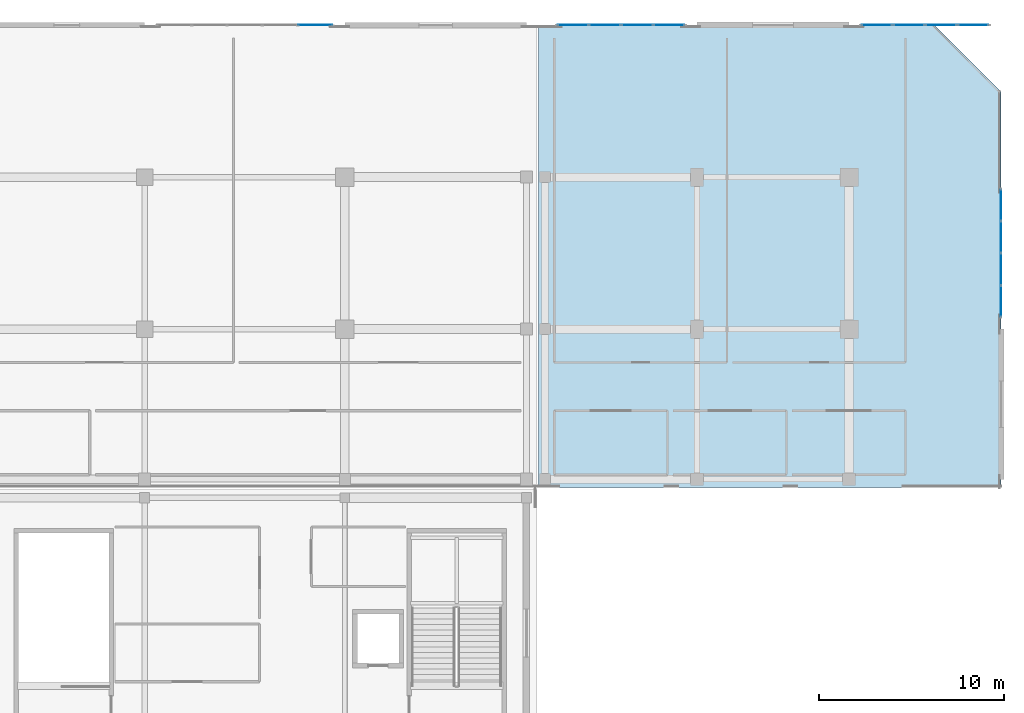
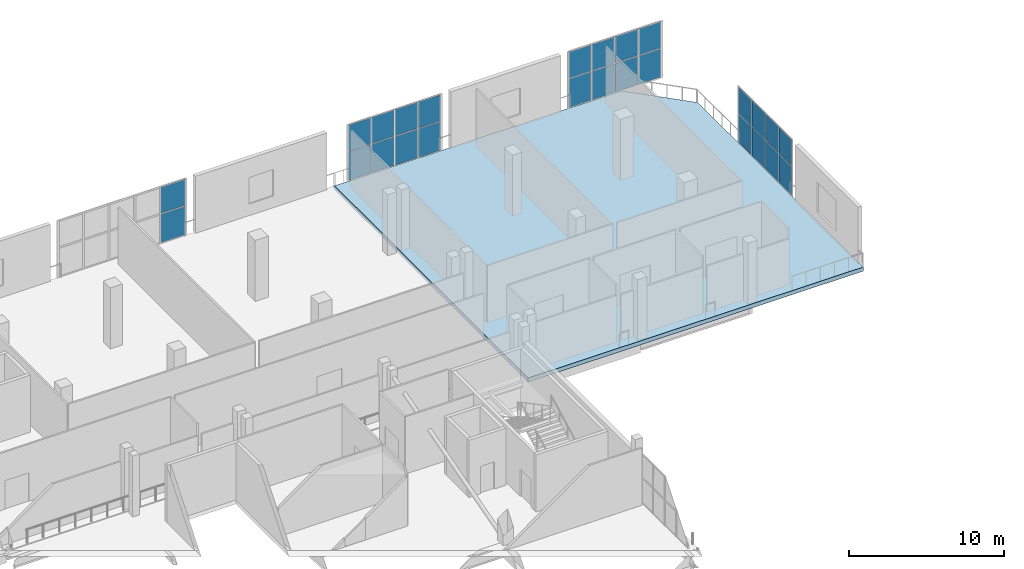
# One storey, part 68 of 129: 26 plates, 1 slab, 4 elements without a shape of their own.
"""IFC4 building model written with IfcOpenShell, lengths in metres."""

from ifc_helpers import new_model, si_unit, direction, frame, origin, origin_2d, place, context, subcontext, project, spatial, polyline, rectangle, outline, extrude, material, layer, layer_set, type_object, element, aggregate, save


model = new_model("IFC4")

# Units and contexts
model_context = context("Model", 3, precision=1e-05, world=origin(), true_north=direction((0.0, 1.0)))
body_context = subcontext(model_context, "Body", "Model", "MODEL_VIEW")
ifc_project = project(units=[si_unit("LENGTHUNIT", "METRE"), si_unit("AREAUNIT", "SQUARE_METRE"), si_unit("VOLUMEUNIT", "CUBIC_METRE"), si_unit("PLANEANGLEUNIT", "RADIAN"), si_unit("MASSUNIT", "GRAM", prefix="KILO")], contexts=[model_context])

# Site, building, storey
site_placement = place(None, origin())
site = spatial("IfcSite", under=ifc_project, at=site_placement, CompositionType="ELEMENT")
building_placement = place(site_placement, origin())
building = spatial("IfcBuilding", under=site, at=building_placement, Name="Koshinbarg Plaza Stadium", CompositionType="ELEMENT")
storey_placement = place(building_placement, frame((0.0, 0.0, 5.39990234375)))
storey = spatial("IfcBuildingStorey", under=building, at=storey_placement, Name="L01", CompositionType="ELEMENT", Elevation=5.39990234375)

# Curtain wall, plates
ifc_material_1 = material(Name="Thermally broken anodised aluminium and low-E double glazing", Category="aluminium")
curtain_wall_type_1 = type_object("IfcCurtainWallType", Name="CW-SYS-03", PredefinedType="NOTDEFINED", material=ifc_material_1)
curtain_wall_1_placement = place(storey_placement, origin())
curtain_wall_1 = element("IfcCurtainWall", 1, at=curtain_wall_1_placement, inside=storey, type_object=curtain_wall_type_1, Name="L01 unitised curtain wall CW-L01-018", PredefinedType="NOTDEFINED")
ifc_material_2 = material(Name="Solar-control low-E double glazing unit", Category="glass")
ifc_layer_1 = layer(ifc_material_2, 0.028076171875)
ifc_layer_set_1 = layer_set([ifc_layer_1], Name="Solar-control low-E double glazing unit")
plate_type_1 = type_object("IfcPlateType", Name="CW-PNL-28", PredefinedType="CURTAIN_PANEL", material=ifc_layer_set_1)
plate_1_placement = place(storey_placement, frame((220.905029296875, 152.0, 0.06005859375), z_axis=(0.0, 0.0, 1.0), x_axis=(1.0, 0.0, 0.0)))
plate_1 = element("IfcPlate", 2, at=plate_1_placement, type_object=plate_type_1, Name="CW03 panel 1.1", PredefinedType="CURTAIN_PANEL", context=body_context, shape_type="SweptSolid", body=[
    extrude(rectangle(XDim=1.64990234375, YDim=0.028076171875, at=origin_2d()), origin(), (0.0, 0.0, 1.0), 2.239501953125),
])
plate_2_placement = place(storey_placement, frame((220.905029296875, 152.0, 2.35986328125), z_axis=(0.0, 0.0, 1.0), x_axis=(1.0, 0.0, 0.0)))
plate_2 = element("IfcPlate", 3, at=plate_2_placement, type_object=plate_type_1, Name="CW03 panel 1.2", PredefinedType="CURTAIN_PANEL", context=body_context, shape_type="SweptSolid", body=[
    extrude(rectangle(XDim=1.64990234375, YDim=0.028076171875, at=origin_2d()), origin(), (0.0, 0.0, 1.0), 2.060302734375),
])
plate_3_placement = place(storey_placement, frame((222.6298828125, 152.0, 0.06005859375), z_axis=(0.0, 0.0, 1.0), x_axis=(1.0, 0.0, 0.0)))
plate_3 = element("IfcPlate", 4, at=plate_3_placement, type_object=plate_type_1, Name="CW03 panel 2.1", PredefinedType="CURTAIN_PANEL", context=body_context, shape_type="SweptSolid", body=[
    extrude(rectangle(XDim=1.679931640625, YDim=0.028076171875, at=origin_2d()), origin(), (0.0, 0.0, 1.0), 2.239501953125),
])
plate_4_placement = place(storey_placement, frame((222.6298828125, 152.0, 2.35986328125), z_axis=(0.0, 0.0, 1.0), x_axis=(1.0, 0.0, 0.0)))
plate_4 = element("IfcPlate", 5, at=plate_4_placement, type_object=plate_type_1, Name="CW03 panel 2.2", PredefinedType="CURTAIN_PANEL", context=body_context, shape_type="SweptSolid", body=[
    extrude(rectangle(XDim=1.679931640625, YDim=0.028076171875, at=origin_2d()), origin(), (0.0, 0.0, 1.0), 2.060302734375),
])
plate_5_placement = place(storey_placement, frame((224.3701171875, 152.0, 0.06005859375), z_axis=(0.0, 0.0, 1.0), x_axis=(1.0, 0.0, 0.0)))
plate_5 = element("IfcPlate", 6, at=plate_5_placement, type_object=plate_type_1, Name="CW03 panel 3.1", PredefinedType="CURTAIN_PANEL", context=body_context, shape_type="SweptSolid", body=[
    extrude(rectangle(XDim=1.679931640625, YDim=0.028076171875, at=origin_2d()), origin(), (0.0, 0.0, 1.0), 2.239501953125),
])
plate_6_placement = place(storey_placement, frame((224.3701171875, 152.0, 2.35986328125), z_axis=(0.0, 0.0, 1.0), x_axis=(1.0, 0.0, 0.0)))
plate_6 = element("IfcPlate", 7, at=plate_6_placement, type_object=plate_type_1, Name="CW03 panel 3.2", PredefinedType="CURTAIN_PANEL", context=body_context, shape_type="SweptSolid", body=[
    extrude(rectangle(XDim=1.679931640625, YDim=0.028076171875, at=origin_2d()), origin(), (0.0, 0.0, 1.0), 2.060302734375),
])
plate_7_placement = place(storey_placement, frame((226.094970703125, 152.0, 0.06005859375), z_axis=(0.0, 0.0, 1.0), x_axis=(1.0, 0.0, 0.0)))
plate_7 = element("IfcPlate", 8, at=plate_7_placement, type_object=plate_type_1, Name="CW03 panel 4.1", PredefinedType="CURTAIN_PANEL", context=body_context, shape_type="SweptSolid", body=[
    extrude(rectangle(XDim=1.64990234375, YDim=0.028076171875, at=origin_2d()), origin(), (0.0, 0.0, 1.0), 2.239501953125),
])
plate_8_placement = place(storey_placement, frame((226.094970703125, 152.0, 2.35986328125), z_axis=(0.0, 0.0, 1.0), x_axis=(1.0, 0.0, 0.0)))
plate_8 = element("IfcPlate", 9, at=plate_8_placement, type_object=plate_type_1, Name="CW03 panel 4.2", PredefinedType="CURTAIN_PANEL", context=body_context, shape_type="SweptSolid", body=[
    extrude(rectangle(XDim=1.64990234375, YDim=0.028076171875, at=origin_2d()), origin(), (0.0, 0.0, 1.0), 2.060302734375),
])
aggregate(curtain_wall_1, [plate_1, plate_2, plate_3, plate_4, plate_5, plate_6, plate_7, plate_8])

curtain_wall_type_2 = type_object("IfcCurtainWallType", Name="CW-SYS-09", PredefinedType="NOTDEFINED", material=ifc_material_1)
curtain_wall_2_placement = place(storey_placement, origin())
curtain_wall_2 = element("IfcCurtainWall", 10, at=curtain_wall_2_placement, inside=storey, type_object=curtain_wall_type_2, Name="L01 unitised curtain wall CW-L01-024", PredefinedType="NOTDEFINED")
plate_9_placement = place(storey_placement, frame((244.0, 142.294921875, 0.06005859375), z_axis=(0.0, 0.0, 1.0), x_axis=(0.0, -1.0, 0.0)))
plate_9 = element("IfcPlate", 11, at=plate_9_placement, type_object=plate_type_1, Name="CW09 panel 1.1", PredefinedType="CURTAIN_PANEL", context=body_context, shape_type="SweptSolid", body=[
    extrude(rectangle(XDim=1.64990234375, YDim=0.028076171875, at=origin_2d()), origin(), (0.0, 0.0, 1.0), 2.239501953125),
])
plate_10_placement = place(storey_placement, frame((244.0, 142.294921875, 2.35986328125), z_axis=(0.0, 0.0, 1.0), x_axis=(0.0, -1.0, 0.0)))
plate_10 = element("IfcPlate", 12, at=plate_10_placement, type_object=plate_type_1, Name="CW09 panel 1.2", PredefinedType="CURTAIN_PANEL", context=body_context, shape_type="SweptSolid", body=[
    extrude(rectangle(XDim=1.64990234375, YDim=0.028076171875, at=origin_2d()), origin(), (0.0, 0.0, 1.0), 2.060302734375),
])
plate_11_placement = place(storey_placement, frame((244.0, 140.570068359375, 0.06005859375), z_axis=(0.0, 0.0, 1.0), x_axis=(0.0, -1.0, 0.0)))
plate_11 = element("IfcPlate", 13, at=plate_11_placement, type_object=plate_type_1, Name="CW09 panel 2.1", PredefinedType="CURTAIN_PANEL", context=body_context, shape_type="SweptSolid", body=[
    extrude(rectangle(XDim=1.679931640625, YDim=0.028076171875, at=origin_2d()), origin(), (0.0, 0.0, 1.0), 2.239501953125),
])
plate_12_placement = place(storey_placement, frame((244.0, 140.570068359375, 2.35986328125), z_axis=(0.0, 0.0, 1.0), x_axis=(0.0, -1.0, 0.0)))
plate_12 = element("IfcPlate", 14, at=plate_12_placement, type_object=plate_type_1, Name="CW09 panel 2.2", PredefinedType="CURTAIN_PANEL", context=body_context, shape_type="SweptSolid", body=[
    extrude(rectangle(XDim=1.679931640625, YDim=0.028076171875, at=origin_2d()), origin(), (0.0, 0.0, 1.0), 2.060302734375),
])
plate_13_placement = place(storey_placement, frame((244.0, 138.830078125, 0.06005859375), z_axis=(0.0, 0.0, 1.0), x_axis=(0.0, -1.0, 0.0)))
plate_13 = element("IfcPlate", 15, at=plate_13_placement, type_object=plate_type_1, Name="CW09 panel 3.1", PredefinedType="CURTAIN_PANEL", context=body_context, shape_type="SweptSolid", body=[
    extrude(rectangle(XDim=1.679931640625, YDim=0.028076171875, at=origin_2d()), origin(), (0.0, 0.0, 1.0), 2.239501953125),
])
plate_14_placement = place(storey_placement, frame((244.0, 138.830078125, 2.35986328125), z_axis=(0.0, 0.0, 1.0), x_axis=(0.0, -1.0, 0.0)))
plate_14 = element("IfcPlate", 16, at=plate_14_placement, type_object=plate_type_1, Name="CW09 panel 3.2", PredefinedType="CURTAIN_PANEL", context=body_context, shape_type="SweptSolid", body=[
    extrude(rectangle(XDim=1.679931640625, YDim=0.028076171875, at=origin_2d()), origin(), (0.0, 0.0, 1.0), 2.060302734375),
])
plate_15_placement = place(storey_placement, frame((244.0, 137.10498046875, 0.06005859375), z_axis=(0.0, 0.0, 1.0), x_axis=(0.0, -1.0, 0.0)))
plate_15 = element("IfcPlate", 17, at=plate_15_placement, type_object=plate_type_1, Name="CW09 panel 4.1", PredefinedType="CURTAIN_PANEL", context=body_context, shape_type="SweptSolid", body=[
    extrude(rectangle(XDim=1.64990234375, YDim=0.028076171875, at=origin_2d()), origin(), (0.0, 0.0, 1.0), 2.239501953125),
])
plate_16_placement = place(storey_placement, frame((244.0, 137.10498046875, 2.35986328125), z_axis=(0.0, 0.0, 1.0), x_axis=(0.0, -1.0, 0.0)))
plate_16 = element("IfcPlate", 18, at=plate_16_placement, type_object=plate_type_1, Name="CW09 panel 4.2", PredefinedType="CURTAIN_PANEL", context=body_context, shape_type="SweptSolid", body=[
    extrude(rectangle(XDim=1.64990234375, YDim=0.028076171875, at=origin_2d()), origin(), (0.0, 0.0, 1.0), 2.060302734375),
])
aggregate(curtain_wall_2, [plate_9, plate_10, plate_11, plate_12, plate_13, plate_14, plate_15, plate_16])

curtain_wall_type_3 = type_object("IfcCurtainWallType", Name="CW-SYS-02", PredefinedType="NOTDEFINED", material=ifc_material_1)
curtain_wall_3_placement = place(storey_placement, origin())
curtain_wall_3 = element("IfcCurtainWall", 19, at=curtain_wall_3_placement, inside=storey, type_object=curtain_wall_type_3, Name="L01 unitised curtain wall CW-L01-017", PredefinedType="NOTDEFINED")
ifc_material_3 = material(Name="Acoustic solar-control double glazing unit", Category="glass")
ifc_layer_2 = layer(ifc_material_3, 0.031982421875)
ifc_layer_set_2 = layer_set([ifc_layer_2], Name="Acoustic solar-control double glazing unit")
plate_type_2 = type_object("IfcPlateType", Name="CW-PNL-32", PredefinedType="CURTAIN_PANEL", material=ifc_layer_set_2)
plate_17_placement = place(storey_placement, frame((207.009033203125, 152.0, 0.06005859375), z_axis=(0.0, 0.0, 1.0), x_axis=(1.0, 0.0, 0.0)))
plate_17 = element("IfcPlate", 20, at=plate_17_placement, type_object=plate_type_2, Name="CW02 panel 5.1", PredefinedType="CURTAIN_PANEL", context=body_context, shape_type="SweptSolid", body=[
    extrude(rectangle(XDim=1.822021484375, YDim=0.031982421875, at=origin_2d()), origin(), (0.0, 0.0, 1.0), 2.239501953125),
])
plate_18_placement = place(storey_placement, frame((207.009033203125, 152.0, 2.35986328125), z_axis=(0.0, 0.0, 1.0), x_axis=(1.0, 0.0, 0.0)))
plate_18 = element("IfcPlate", 21, at=plate_18_placement, type_object=plate_type_2, Name="CW02 panel 5.2", PredefinedType="CURTAIN_PANEL", context=body_context, shape_type="SweptSolid", body=[
    extrude(rectangle(XDim=1.822021484375, YDim=0.031982421875, at=origin_2d()), origin(), (0.0, 0.0, 1.0), 2.060302734375),
])
aggregate(curtain_wall_3, [plate_17, plate_18])

curtain_wall_type_4 = type_object("IfcCurtainWallType", Name="CW-SYS-04", PredefinedType="NOTDEFINED", material=ifc_material_1)
curtain_wall_4_placement = place(storey_placement, origin())
curtain_wall_4 = element("IfcCurtainWall", 22, at=curtain_wall_4_placement, inside=storey, type_object=curtain_wall_type_4, Name="L01 unitised curtain wall CW-L01-019", PredefinedType="NOTDEFINED")
plate_19_placement = place(storey_placement, frame((237.304931640625, 152.0, 0.06005859375), z_axis=(0.0, 0.0, 1.0), x_axis=(1.0, 0.0, 0.0)))
plate_19 = element("IfcPlate", 23, at=plate_19_placement, type_object=plate_type_2, Name="CW04 panel 1.1", PredefinedType="CURTAIN_PANEL", context=body_context, shape_type="SweptSolid", body=[
    extrude(rectangle(XDim=1.64990234375, YDim=0.031982421875, at=origin_2d()), origin(), (0.0, 0.0, 1.0), 2.239501953125),
])
plate_20_placement = place(storey_placement, frame((237.304931640625, 152.0, 2.35986328125), z_axis=(0.0, 0.0, 1.0), x_axis=(1.0, 0.0, 0.0)))
plate_20 = element("IfcPlate", 24, at=plate_20_placement, type_object=plate_type_2, Name="CW04 panel 1.2", PredefinedType="CURTAIN_PANEL", context=body_context, shape_type="SweptSolid", body=[
    extrude(rectangle(XDim=1.64990234375, YDim=0.031982421875, at=origin_2d()), origin(), (0.0, 0.0, 1.0), 2.060302734375),
])
plate_21_placement = place(storey_placement, frame((239.030029296875, 152.0, 0.06005859375), z_axis=(0.0, 0.0, 1.0), x_axis=(1.0, 0.0, 0.0)))
plate_21 = element("IfcPlate", 25, at=plate_21_placement, type_object=plate_type_2, Name="CW04 panel 2.1", PredefinedType="CURTAIN_PANEL", context=body_context, shape_type="SweptSolid", body=[
    extrude(rectangle(XDim=1.679931640625, YDim=0.031982421875, at=origin_2d()), origin(), (0.0, 0.0, 1.0), 2.239501953125),
])
plate_22_placement = place(storey_placement, frame((239.030029296875, 152.0, 2.35986328125), z_axis=(0.0, 0.0, 1.0), x_axis=(1.0, 0.0, 0.0)))
plate_22 = element("IfcPlate", 26, at=plate_22_placement, type_object=plate_type_2, Name="CW04 panel 2.2", PredefinedType="CURTAIN_PANEL", context=body_context, shape_type="SweptSolid", body=[
    extrude(rectangle(XDim=1.679931640625, YDim=0.031982421875, at=origin_2d()), origin(), (0.0, 0.0, 1.0), 2.060302734375),
])
plate_23_placement = place(storey_placement, frame((240.77001953125, 152.0, 0.06005859375), z_axis=(0.0, 0.0, 1.0), x_axis=(1.0, 0.0, 0.0)))
plate_23 = element("IfcPlate", 27, at=plate_23_placement, type_object=plate_type_2, Name="CW04 panel 3.1", PredefinedType="CURTAIN_PANEL", context=body_context, shape_type="SweptSolid", body=[
    extrude(rectangle(XDim=1.679931640625, YDim=0.031982421875, at=origin_2d()), origin(), (0.0, 0.0, 1.0), 2.239501953125),
])
plate_24_placement = place(storey_placement, frame((240.77001953125, 152.0, 2.35986328125), z_axis=(0.0, 0.0, 1.0), x_axis=(1.0, 0.0, 0.0)))
plate_24 = element("IfcPlate", 28, at=plate_24_placement, type_object=plate_type_2, Name="CW04 panel 3.2", PredefinedType="CURTAIN_PANEL", context=body_context, shape_type="SweptSolid", body=[
    extrude(rectangle(XDim=1.679931640625, YDim=0.031982421875, at=origin_2d()), origin(), (0.0, 0.0, 1.0), 2.060302734375),
])
plate_25_placement = place(storey_placement, frame((242.4951171875, 152.0, 0.06005859375), z_axis=(0.0, 0.0, 1.0), x_axis=(1.0, 0.0, 0.0)))
plate_25 = element("IfcPlate", 29, at=plate_25_placement, type_object=plate_type_2, Name="CW04 panel 4.1", PredefinedType="CURTAIN_PANEL", context=body_context, shape_type="SweptSolid", body=[
    extrude(rectangle(XDim=1.64990234375, YDim=0.031982421875, at=origin_2d()), origin(), (0.0, 0.0, 1.0), 2.239501953125),
])
plate_26_placement = place(storey_placement, frame((242.4951171875, 152.0, 2.35986328125), z_axis=(0.0, 0.0, 1.0), x_axis=(1.0, 0.0, 0.0)))
plate_26 = element("IfcPlate", 30, at=plate_26_placement, type_object=plate_type_2, Name="CW04 panel 4.2", PredefinedType="CURTAIN_PANEL", context=body_context, shape_type="SweptSolid", body=[
    extrude(rectangle(XDim=1.64990234375, YDim=0.031982421875, at=origin_2d()), origin(), (0.0, 0.0, 1.0), 2.060302734375),
])
aggregate(curtain_wall_4, [plate_19, plate_20, plate_21, plate_22, plate_23, plate_24, plate_25, plate_26])

# Slab
ifc_material_4 = material(Name="Concrete C35/45", Category="concrete")
ifc_layer_3 = layer(ifc_material_4, 0.320068359375)
ifc_layer_set_3 = layer_set([ifc_layer_3], Name="Concrete C35/45")
slab_type = type_object("IfcSlabType", Name="SL-FLR-320", PredefinedType="FLOOR", material=ifc_layer_set_3)
slab_placement = place(storey_placement, frame((0.0, 0.0, -0.31982421875)))
element("IfcSlab", 31, at=slab_placement, inside=storey, type_object=slab_type, Name="L01 V3 structural slab 13", PredefinedType="FLOOR", context=body_context, shape_type="SweptSolid", body=[
    extrude(outline(polyline([(219.044921875, 127.044921875), (244.0, 127.044921875), (244.0, 148.39990234375), (240.39990234375, 152.0), (219.044921875, 152.0), (219.044921875, 127.044921875)])), origin(), (0.0, 0.0, 1.0), 0.31982421875),
])

save(model, "model.ifc")
